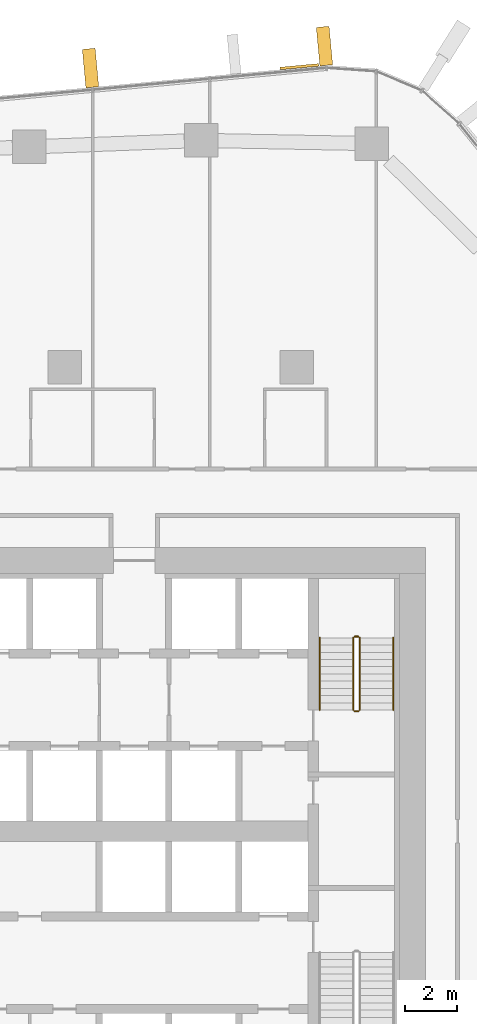
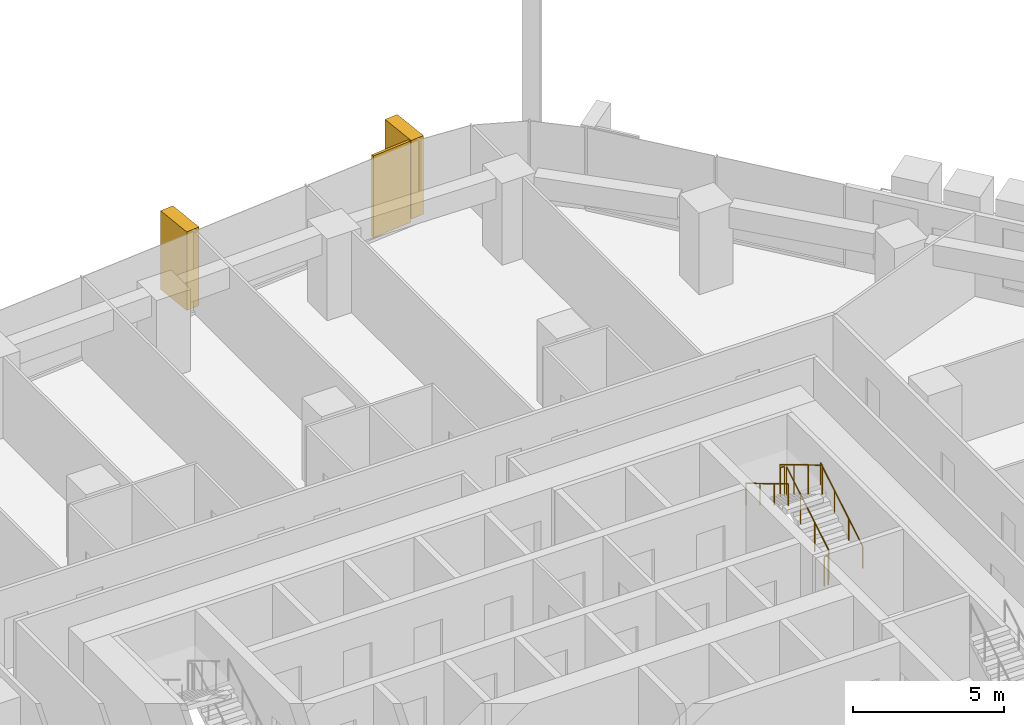
# One storey, part 23 of 24: 6 railings, 3 coverings, 1 element without a shape of its own.
"""IFC4 building model written with IfcOpenShell, lengths in metres."""

from ifc_helpers import new_model, si_unit, direction, frame, origin, origin_2d, place, context, subcontext, project, spatial, rectangle, circle, extrude, material, layer, layer_set, material_profile, profile_set, type_object, element, aggregate, save


model = new_model("IFC4")

# Units and contexts
model_context = context("Model", 3, precision=1e-05, world=origin(), true_north=direction((0.0, 1.0)))
body_context = subcontext(model_context, "Body", "Model", "MODEL_VIEW")
ifc_project = project(units=[si_unit("LENGTHUNIT", "METRE"), si_unit("AREAUNIT", "SQUARE_METRE"), si_unit("VOLUMEUNIT", "CUBIC_METRE"), si_unit("PLANEANGLEUNIT", "RADIAN"), si_unit("MASSUNIT", "GRAM", prefix="KILO")], contexts=[model_context])

# Site, building, storey
site_placement = place(None, origin())
site = spatial("IfcSite", under=ifc_project, at=site_placement, CompositionType="ELEMENT")
building_placement = place(site_placement, origin())
building = spatial("IfcBuilding", under=site, at=building_placement, Name="Dongbaek Canopy Tower", CompositionType="ELEMENT")
storey_placement = place(building_placement, frame((0.0, 0.0, 117.39990234375)))
storey = spatial("IfcBuildingStorey", under=building, at=storey_placement, Name="L25", CompositionType="ELEMENT", Elevation=117.39990234375)

# Curtain wall, coverings
ifc_material_1 = material(Name="Aluminium 6063-T6 pale anodised", Category="aluminium")
ifc_layer_1 = layer(ifc_material_1, 0.199951171875)
ifc_layer_set_1 = layer_set([ifc_layer_1], Name="CW-1 unitised tower curtain wall")
curtain_wall_type = type_object("IfcCurtainWallType", Name="CW-1 unitised tower curtain wall", PredefinedType="NOTDEFINED", material=ifc_layer_set_1)
curtain_wall_placement = place(storey_placement, origin())
curtain_wall = element("IfcCurtainWall", 1, at=curtain_wall_placement, inside=storey, type_object=curtain_wall_type, Name="CW-1 curtain wall F1.1", PredefinedType="NOTDEFINED")
ifc_material_2 = material(Name="Perforated aluminium 6063-T6 pale metal screen", Category="aluminium")
ifc_layer_2 = layer(ifc_material_2, 0.10009765625)
ifc_layer_set_2 = layer_set([ifc_layer_2], Name="Facet screen FS1 100 pale metal")
covering_type_1 = type_object("IfcCoveringType", Name="Facet screen FS1 100 pale metal", PredefinedType="CLADDING", material=ifc_layer_set_2)
covering_1_placement = place(storey_placement, frame((9.111572265625, 29.658203125, 0.0), z_axis=(0.0, 0.0, 1.0), x_axis=(-0.995628889191, -0.093397617783, 0.0)))
covering_1 = element("IfcCovering", 2, at=covering_1_placement, type_object=covering_type_1, Name="Facet screen L25 F1", PredefinedType="CLADDING", context=body_context, shape_type="SweptSolid", body=[
    extrude(rectangle(XDim=1.503662109375, YDim=0.10009765625, at=origin_2d()), origin(), (0.0, 0.0, 1.0), 3.300048828125),
])
ifc_material_3 = material(Name="Aluminium 6063-T6 pale metal fin", Category="aluminium")
ifc_material_profile = material_profile(ifc_material_3, rectangle(XDim=1.5, YDim=0.5, at=origin_2d()), Name="Fin FN1 500 x 1500 pale metal")
ifc_profile_set = profile_set([ifc_material_profile], Name="Aluminium 6063-T6 pale metal fin")
covering_type_2 = type_object("IfcCoveringType", Name="Fin FN1 500 x 1500 pale metal", PredefinedType="CLADDING", material=ifc_profile_set)
covering_2_placement = place(storey_placement, frame((10.0830078125, 30.45654296875, 0.1201171875), z_axis=(0.0, 0.0, 1.0), x_axis=(-0.093397804951, 0.995628871634, 0.0)))
covering_2 = element("IfcCovering", 3, at=covering_2_placement, type_object=covering_type_2, Name="Fin F1.1.1", PredefinedType="CLADDING", context=body_context, shape_type="SweptSolid", body=[
    extrude(rectangle(XDim=1.5, YDim=0.5, at=origin_2d()), origin(), (0.0, 0.0, 1.0), 3.179931640625),
])
covering_3_placement = place(storey_placement, frame((1.007568359375, 29.60498046875, 0.1201171875), z_axis=(0.0, 0.0, 1.0), x_axis=(-0.093397804951, 0.995628871634, 0.0)))
covering_3 = element("IfcCovering", 4, at=covering_3_placement, type_object=covering_type_2, Name="Fin F1.1.3", PredefinedType="CLADDING", context=body_context, shape_type="SweptSolid", body=[
    extrude(rectangle(XDim=1.5, YDim=0.5, at=origin_2d()), origin(), (0.0, 0.0, 1.0), 3.179931640625),
])
aggregate(curtain_wall, [covering_2, covering_3, covering_1])

# Railings
ifc_material_4 = material(Name="Stainless steel tube and balusters", Category="steel")
railing_type_1 = type_object("IfcRailingType", Name="Stair guard 1200", PredefinedType="GUARDRAIL", material=ifc_material_4)
railing_1_placement = place(storey_placement, frame((11.449951171875, 4.699951171875, 0.168212890625)))
element("IfcRailing", 5, at=railing_1_placement, inside=storey, type_object=railing_type_1, Name="L25 ST-A stair guard 1", PredefinedType="GUARDRAIL", context=body_context, shape_type="SweptSolid", body=[
    extrude(circle(Radius=0.02392578125, at=origin_2d()), frame((0.0, 0.0, 1.17578125), z_axis=(0.0, 0.857242210791, 0.514913383045), x_axis=(-1.0, 0.0, 0.0)), (0.0, 0.0, 1.0), 3.266357421875),
    extrude(circle(Radius=0.02099609375, at=origin_2d()), origin(), (0.0, 0.0, 1.0), 1.15185546875),
    extrude(circle(Radius=0.02099609375, at=origin_2d()), frame((0.0, 0.933349609375, 0.560546875)), (0.0, 0.0, 1.0), 1.15185546875),
    extrude(circle(Radius=0.02099609375, at=origin_2d()), frame((0.0, 1.86669921875, 1.121337890625)), (0.0, 0.0, 1.0), 1.15185546875),
    extrude(circle(Radius=0.02099609375, at=origin_2d()), frame((0.0, 2.800048828125, 1.681884765625)), (0.0, 0.0, 1.0), 1.15185546875),
])
railing_2_placement = place(storey_placement, frame((11.39990234375, 7.550048828125, 1.85009765625)))
element("IfcRailing", 6, at=railing_2_placement, inside=storey, type_object=railing_type_1, Name="L25 ST-A stair guard 2", PredefinedType="GUARDRAIL", context=body_context, shape_type="SweptSolid", body=[
    extrude(circle(Radius=0.02392578125, at=origin_2d()), frame((0.0, 0.0, 1.17578125), z_axis=(-1.0, 0.0, 0.0), x_axis=(0.0, -1.0, 0.0)), (0.0, 0.0, 1.0), 0.14990234375),
    extrude(circle(Radius=0.02099609375, at=origin_2d()), origin(), (0.0, 0.0, 1.0), 1.15185546875),
    extrude(circle(Radius=0.02099609375, at=origin_2d()), frame((-0.14990234375, 0.0, 0.0)), (0.0, 0.0, 1.0), 1.15185546875),
])
railing_3_placement = place(storey_placement, frame((11.199951171875, 7.5, 2.018310546875)))
element("IfcRailing", 7, at=railing_3_placement, inside=storey, type_object=railing_type_1, Name="L25 ST-A stair guard 3", PredefinedType="GUARDRAIL", context=body_context, shape_type="SweptSolid", body=[
    extrude(circle(Radius=0.02392578125, at=origin_2d()), frame((0.0, 0.0, 1.17578125), z_axis=(0.0, -0.857242210791, 0.514913383045), x_axis=(1.0, 0.0, 0.0)), (0.0, 0.0, 1.0), 3.266357421875),
    extrude(circle(Radius=0.02099609375, at=origin_2d()), origin(), (0.0, 0.0, 1.0), 1.15185546875),
    extrude(circle(Radius=0.02099609375, at=origin_2d()), frame((0.0, -0.933349609375, 0.560546875)), (0.0, 0.0, 1.0), 1.15185546875),
    extrude(circle(Radius=0.02099609375, at=origin_2d()), frame((0.0, -1.86669921875, 1.121337890625)), (0.0, 0.0, 1.0), 1.15185546875),
    extrude(circle(Radius=0.02099609375, at=origin_2d()), frame((0.0, -2.800048828125, 1.681884765625)), (0.0, 0.0, 1.0), 1.15185546875),
])
railing_4_placement = place(storey_placement, frame((11.39990234375, 4.64990234375, 0.0)))
element("IfcRailing", 8, at=railing_4_placement, inside=storey, type_object=railing_type_1, Name="L25 ST-A stair guard 4", PredefinedType="GUARDRAIL", context=body_context, shape_type="SweptSolid", body=[
    extrude(circle(Radius=0.02392578125, at=origin_2d()), frame((0.0, 0.0, 1.17578125), z_axis=(-1.0, 0.0, 0.0), x_axis=(0.0, -1.0, 0.0)), (0.0, 0.0, 1.0), 0.14990234375),
    extrude(circle(Radius=0.02099609375, at=origin_2d()), origin(), (0.0, 0.0, 1.0), 1.15185546875),
    extrude(circle(Radius=0.02099609375, at=origin_2d()), frame((-0.14990234375, 0.0, 0.0)), (0.0, 0.0, 1.0), 1.15185546875),
])
ifc_material_5 = material(Name="Stainless steel tube", Category="steel")
railing_type_2 = type_object("IfcRailingType", Name="Stair handrail 900", PredefinedType="HANDRAIL", material=ifc_material_5)
railing_5_placement = place(storey_placement, frame((12.75, 4.699951171875, 0.168212890625)))
element("IfcRailing", 9, at=railing_5_placement, inside=storey, type_object=railing_type_2, Name="L25 ST-A stair handrail 1", PredefinedType="HANDRAIL", context=body_context, shape_type="SweptSolid", body=[
    extrude(circle(Radius=0.02392578125, at=origin_2d()), frame((0.0, 0.0, 0.8759765625), z_axis=(0.0, 0.857242210791, 0.514913383045), x_axis=(-1.0, 0.0, 0.0)), (0.0, 0.0, 1.0), 3.266357421875),
    extrude(circle(Radius=0.02099609375, at=origin_2d()), origin(), (0.0, 0.0, 1.0), 0.851806640625),
    extrude(circle(Radius=0.02099609375, at=origin_2d()), frame((0.0, 0.933349609375, 0.560546875)), (0.0, 0.0, 1.0), 0.851806640625),
    extrude(circle(Radius=0.02099609375, at=origin_2d()), frame((0.0, 1.86669921875, 1.121337890625)), (0.0, 0.0, 1.0), 0.851806640625),
    extrude(circle(Radius=0.02099609375, at=origin_2d()), frame((0.0, 2.800048828125, 1.681884765625)), (0.0, 0.0, 1.0), 0.851806640625),
])
railing_6_placement = place(storey_placement, frame((9.89990234375, 7.5, 2.018310546875)))
element("IfcRailing", 10, at=railing_6_placement, inside=storey, type_object=railing_type_2, Name="L25 ST-A stair handrail 2", PredefinedType="HANDRAIL", context=body_context, shape_type="SweptSolid", body=[
    extrude(circle(Radius=0.02392578125, at=origin_2d()), frame((0.0, 0.0, 0.8759765625), z_axis=(0.0, -0.857242210791, 0.514913383045), x_axis=(1.0, 0.0, 0.0)), (0.0, 0.0, 1.0), 3.266357421875),
    extrude(circle(Radius=0.02099609375, at=origin_2d()), origin(), (0.0, 0.0, 1.0), 0.851806640625),
    extrude(circle(Radius=0.02099609375, at=origin_2d()), frame((0.0, -0.933349609375, 0.560546875)), (0.0, 0.0, 1.0), 0.851806640625),
    extrude(circle(Radius=0.02099609375, at=origin_2d()), frame((0.0, -1.86669921875, 1.121337890625)), (0.0, 0.0, 1.0), 0.851806640625),
    extrude(circle(Radius=0.02099609375, at=origin_2d()), frame((0.0, -2.800048828125, 1.681884765625)), (0.0, 0.0, 1.0), 0.851806640625),
])

save(model, "model.ifc")
